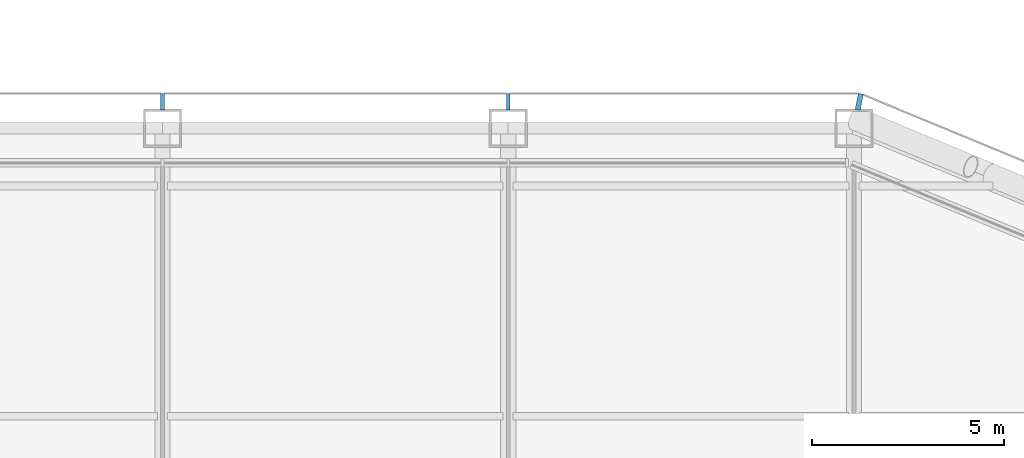
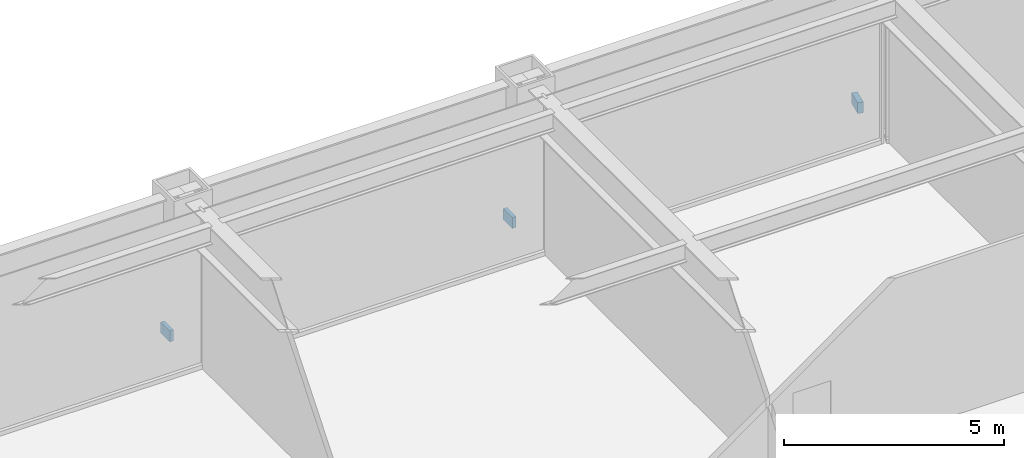
# One storey, part 23 of 29: 3 discrete accessories.
"""IFC4 building model written with IfcOpenShell, lengths in metres."""

from ifc_helpers import new_model, si_unit, direction, frame, origin, origin_2d, place, context, subcontext, project, spatial, rectangle, extrude, material, type_object, element, save


model = new_model("IFC4")

# Units and contexts
model_context = context("Model", 3, precision=1e-05, world=origin(), true_north=direction((0.0, 1.0)))
body_context = subcontext(model_context, "Body", "Model", "MODEL_VIEW")
ifc_project = project(units=[si_unit("LENGTHUNIT", "METRE"), si_unit("AREAUNIT", "SQUARE_METRE"), si_unit("VOLUMEUNIT", "CUBIC_METRE"), si_unit("PLANEANGLEUNIT", "RADIAN"), si_unit("MASSUNIT", "GRAM", prefix="KILO")], contexts=[model_context])

# Site, building, storey
site_placement = place(None, origin())
site = spatial("IfcSite", under=ifc_project, at=site_placement, CompositionType="ELEMENT")
building_placement = place(site_placement, origin())
building = spatial("IfcBuilding", under=site, at=building_placement, Name="Siwar Civic Tower", CompositionType="ELEMENT")
storey_placement = place(building_placement, frame((0.0, 0.0, 67.199951171875)))
storey = spatial("IfcBuildingStorey", under=building, at=storey_placement, Name="L14", CompositionType="ELEMENT", Elevation=67.199951171875)

# Discrete accessories
ifc_material = material(Name="Stainless steel 316", Category="steel")
discrete_accessory_type = type_object("IfcDiscreteAccessoryType", Name="ENV-BRACKET", PredefinedType="BRACKET", material=ifc_material)
for number, where, z_axis, x_axis, name in (
    (1, (13.5, 32.18994140625, -0.14990234375), (0.0, 0.0, 1.0), (0.0, 1.0, 0.0), "Bracket outer skin joint N-01"),
    (2, (4.5, 32.18994140625, -0.14990234375), (0.0, 0.0, 1.0), (0.0, 1.0, 0.0), "Bracket outer skin joint N-02"),
):
    element("IfcDiscreteAccessory", number, at=place(storey_placement, frame(where, z_axis=z_axis, x_axis=x_axis)), inside=storey, type_object=discrete_accessory_type, Name=name, PredefinedType="BRACKET", context=body_context, shape_type="SweptSolid", body=[
        extrude(rectangle(XDim=0.419921875, YDim=0.10009765625, at=origin_2d()), origin(), (0.0, 0.0, 1.0), 0.300048828125),
    ])
discrete_accessory_placement = place(storey_placement, frame((22.63720703125, 32.190185546875, -0.14990234375), z_axis=(0.0, 0.0, 1.0), x_axis=(0.195090322016, 0.980785280403, 0.0)))
element("IfcDiscreteAccessory", 3, at=discrete_accessory_placement, inside=storey, type_object=discrete_accessory_type, Name="Bracket outer skin joint V06", PredefinedType="BRACKET", context=body_context, shape_type="SweptSolid", body=[
    extrude(rectangle(XDim=0.427734375, YDim=0.13720703125, at=origin_2d()), origin(), (0.0, 0.0, 1.0), 0.300048828125),
])

save(model, "model.ifc")
